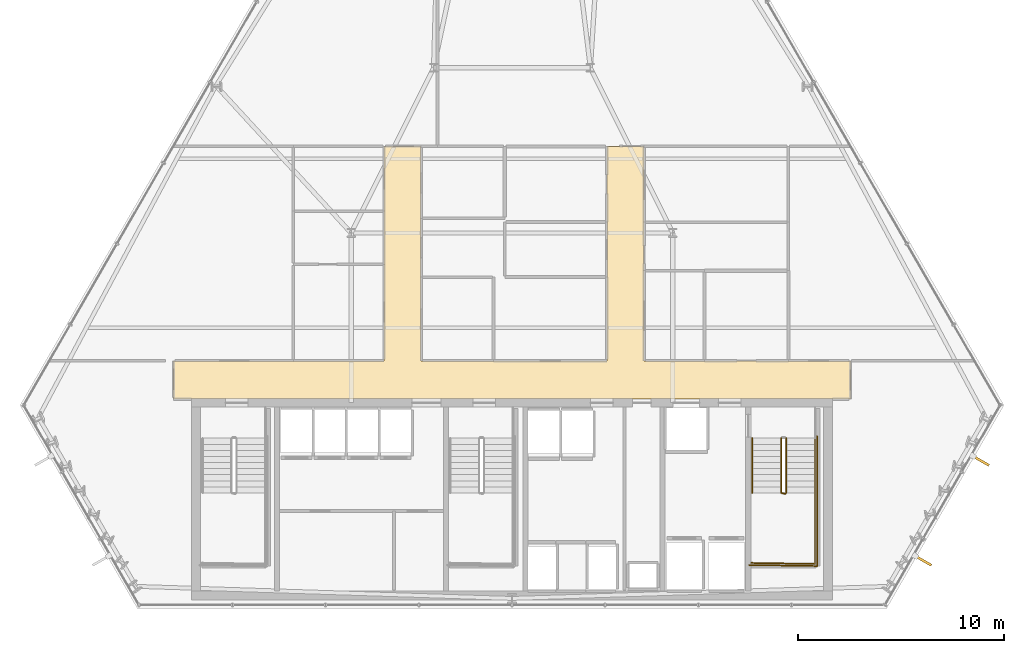
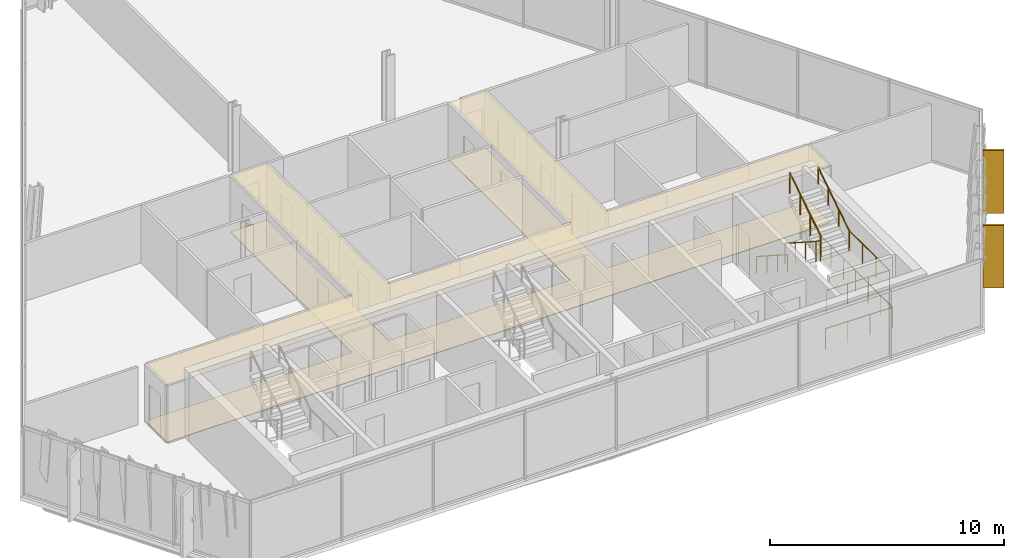
# One storey, part 30 of 32: 6 railings, 2 coverings, 2 shading devices.
"""IFC4 building model written with IfcOpenShell, lengths in metres."""

from ifc_helpers import new_model, si_unit, direction, frame, origin, origin_2d, place, context, subcontext, project, spatial, polyline, rectangle, circle, outline, extrude, material, layer, layer_set, type_object, element, save


model = new_model("IFC4")

# Units and contexts
model_context = context("Model", 3, precision=1e-05, world=origin(), true_north=direction((0.0, 1.0)))
body_context = subcontext(model_context, "Body", "Model", "MODEL_VIEW")
ifc_project = project(units=[si_unit("LENGTHUNIT", "METRE"), si_unit("AREAUNIT", "SQUARE_METRE"), si_unit("VOLUMEUNIT", "CUBIC_METRE"), si_unit("PLANEANGLEUNIT", "RADIAN"), si_unit("MASSUNIT", "GRAM", prefix="KILO")], contexts=[model_context])

# Site, building, storey
site_placement = place(None, origin())
site = spatial("IfcSite", under=ifc_project, at=site_placement, CompositionType="ELEMENT")
building_placement = place(site_placement, origin())
building = spatial("IfcBuilding", under=site, at=building_placement, Name="Ndaravel Arena Tower", CompositionType="ELEMENT")
storey_placement = place(building_placement, frame((0.0, 0.0, 157.39990234375)))
storey = spatial("IfcBuildingStorey", under=building, at=storey_placement, Name="L37", CompositionType="ELEMENT", Elevation=157.39990234375)

# Coverings
ifc_material_1 = material(Name="Acoustic Ceiling Tile", Category="finish")
ifc_layer_1 = layer(ifc_material_1, 0.02490234375)
ifc_layer_set_1 = layer_set([ifc_layer_1], Name="Acoustic Ceiling Tile")
covering_type_1 = type_object("IfcCoveringType", Name="COV-CEIL-AC600", PredefinedType="CEILING", material=ifc_layer_set_1)
covering_1_placement = place(storey_placement, frame((0.0, 0.0, 2.980712890625)))
element("IfcCovering", 1, at=covering_1_placement, inside=storey, type_object=covering_type_1, Name="L37 Corridor Acoustic Ceiling", PredefinedType="CEILING", context=body_context, shape_type="SweptSolid", body=[
    extrude(outline(polyline([(58.39990234375, 17.0), (48.39990234375, 17.0), (48.39990234375, 27.39990234375), (46.60009765625, 27.39990234375), (46.60009765625, 17.0), (37.60009765625, 17.0), (37.60009765625, 27.39990234375), (35.800048828125, 27.39990234375), (35.800048828125, 17.0), (25.60009765625, 17.0), (25.60009765625, 15.14990234375), (58.39990234375, 15.14990234375), (58.39990234375, 17.0)])), origin(), (0.0, 0.0, 1.0), 0.02490234375),
])
ifc_material_2 = material(Name="Terrazzo", Category="stone")
ifc_layer_2 = layer(ifc_material_2, 0.030029296875)
ifc_layer_set_2 = layer_set([ifc_layer_2], Name="Terrazzo")
covering_type_2 = type_object("IfcCoveringType", Name="COV-FLOOR-TERRAZZO", PredefinedType="FLOORING", material=ifc_layer_set_2)
covering_2_placement = place(storey_placement, origin())
element("IfcCovering", 2, at=covering_2_placement, inside=storey, type_object=covering_type_2, Name="L37 Corridor Terrazzo Flooring", PredefinedType="FLOORING", context=body_context, shape_type="SweptSolid", body=[
    extrude(outline(polyline([(58.39990234375, 17.0), (48.39990234375, 17.0), (48.39990234375, 27.39990234375), (46.60009765625, 27.39990234375), (46.60009765625, 17.0), (37.60009765625, 17.0), (37.60009765625, 27.39990234375), (35.800048828125, 27.39990234375), (35.800048828125, 17.0), (25.60009765625, 17.0), (25.60009765625, 15.14990234375), (58.39990234375, 15.14990234375), (58.39990234375, 17.0)])), origin(), (0.0, 0.0, 1.0), 0.030029296875),
])

# Railings
ifc_material_3 = material(Name="Steel S355", Category="steel")
ifc_layer_3 = layer(ifc_material_3, 0.06005859375)
ifc_layer_set_3 = layer_set([ifc_layer_3], Name="Steel S355")
railing_type_1 = type_object("IfcRailingType", Name="RAIL-STAIR-GD1100", PredefinedType="GUARDRAIL", material=ifc_layer_set_3)
railing_1_placement = place(storey_placement, frame((55.050048828125, 13.25, 0.190185546875)))
element("IfcRailing", 3, at=railing_1_placement, inside=storey, type_object=railing_type_1, Name="L37 ST-3 stair guard 1", PredefinedType="GUARDRAIL", context=body_context, shape_type="SweptSolid", body=[
    extrude(circle(Radius=0.02392578125, at=origin_2d()), frame((0.0, 0.0, 1.076171875), z_axis=(0.0, -0.840723540582, 0.54146461409), x_axis=(1.0, 0.0, 0.0)), (0.0, 0.0, 1.0), 3.157958984375),
    extrude(circle(Radius=0.02392578125, at=origin_2d()), frame((0.0, -2.655029296875, 2.7861328125), z_axis=(0.966993988697, -0.254799187253, 0.0), x_axis=(0.254799187253, 0.966993988697, 0.0)), (0.0, 0.0, 1.0), 0.196533203125),
    extrude(circle(Radius=0.02099609375, at=origin_2d()), origin(), (0.0, 0.0, 1.0), 1.052001953125),
    extrude(circle(Radius=0.02099609375, at=origin_2d()), frame((0.0, -0.885009765625, 0.570068359375)), (0.0, 0.0, 1.0), 1.052001953125),
    extrude(circle(Radius=0.02099609375, at=origin_2d()), frame((0.0, -1.77001953125, 1.139892578125)), (0.0, 0.0, 1.0), 1.052001953125),
    extrude(circle(Radius=0.02099609375, at=origin_2d()), frame((0.0, -2.655029296875, 1.7099609375)), (0.0, 0.0, 1.0), 1.052001953125),
    extrude(circle(Radius=0.02099609375, at=origin_2d()), frame((0.18994140625, -2.705078125, 1.7099609375)), (0.0, 0.0, 1.0), 1.052001953125),
])
railing_2_placement = place(storey_placement, frame((56.68994140625, 10.594970703125, 1.900146484375)))
element("IfcRailing", 4, at=railing_2_placement, inside=storey, type_object=railing_type_1, Name="L37 ST-3 stair guard 2", PredefinedType="GUARDRAIL", context=body_context, shape_type="SweptSolid", body=[
    extrude(circle(Radius=0.02392578125, at=origin_2d()), frame((0.0, 0.0, 1.076171875), z_axis=(0.0, -1.0, 0.0), x_axis=(1.0, 0.0, 0.0)), (0.0, 0.0, 1.0), 3.445068359375),
    extrude(circle(Radius=0.02392578125, at=origin_2d()), frame((0.0, -3.445068359375, 1.076171875), z_axis=(-0.999868840623, 0.016195726322, 0.0), x_axis=(-0.016195726322, -0.999868840623, 0.0)), (0.0, 0.0, 1.0), 3.09033203125),
    extrude(circle(Radius=0.02099609375, at=origin_2d()), origin(), (0.0, 0.0, 1.0), 1.052001953125),
    extrude(circle(Radius=0.02099609375, at=origin_2d()), frame((0.0, -1.1484375, 0.0)), (0.0, 0.0, 1.0), 1.052001953125),
    extrude(circle(Radius=0.02099609375, at=origin_2d()), frame((0.0, -2.296630859375, 0.0)), (0.0, 0.0, 1.0), 1.052001953125),
    extrude(circle(Radius=0.02099609375, at=origin_2d()), frame((0.0, -3.445068359375, 0.0)), (0.0, 0.0, 1.0), 1.052001953125),
    extrude(circle(Radius=0.02099609375, at=origin_2d()), frame((-1.030029296875, -3.428466796875, 0.0)), (0.0, 0.0, 1.0), 1.052001953125),
    extrude(circle(Radius=0.02099609375, at=origin_2d()), frame((-2.059814453125, -3.41162109375, 0.0)), (0.0, 0.0, 1.0), 1.052001953125),
    extrude(circle(Radius=0.02099609375, at=origin_2d()), frame((-3.08984375, -3.39501953125, 0.0)), (0.0, 0.0, 1.0), 1.052001953125),
])
railing_3_placement = place(storey_placement, frame((55.2900390625, 10.594970703125, 2.090087890625)))
element("IfcRailing", 5, at=railing_3_placement, inside=storey, type_object=railing_type_1, Name="L37 ST-3 stair guard 3", PredefinedType="GUARDRAIL", context=body_context, shape_type="SweptSolid", body=[
    extrude(circle(Radius=0.02392578125, at=origin_2d()), frame((0.0, 0.0, 1.076171875), z_axis=(0.0, 0.840723540582, 0.54146461409), x_axis=(-1.0, 0.0, 0.0)), (0.0, 0.0, 1.0), 3.157958984375),
    extrude(circle(Radius=0.02099609375, at=origin_2d()), origin(), (0.0, 0.0, 1.0), 1.052001953125),
    extrude(circle(Radius=0.02099609375, at=origin_2d()), frame((0.0, 0.885009765625, 0.570068359375)), (0.0, 0.0, 1.0), 1.052001953125),
    extrude(circle(Radius=0.02099609375, at=origin_2d()), frame((0.0, 1.77001953125, 1.139892578125)), (0.0, 0.0, 1.0), 1.052001953125),
    extrude(circle(Radius=0.02099609375, at=origin_2d()), frame((0.0, 2.655029296875, 1.7099609375)), (0.0, 0.0, 1.0), 1.052001953125),
])
railing_4_placement = place(storey_placement, frame((56.7900390625, 13.35009765625, 0.0)))
element("IfcRailing", 6, at=railing_4_placement, inside=storey, type_object=railing_type_1, Name="L37 ST-3 stair guard 6", PredefinedType="GUARDRAIL", context=body_context, shape_type="SweptSolid", body=[
    extrude(circle(Radius=0.02392578125, at=origin_2d()), frame((0.0, 0.0, 1.076171875), z_axis=(0.0, -1.0, 0.0), x_axis=(1.0, 0.0, 0.0)), (0.0, 0.0, 1.0), 6.300048828125),
    extrude(circle(Radius=0.02392578125, at=origin_2d()), frame((0.0, -6.300048828125, 1.076171875), z_axis=(-0.99988431412, 0.015210469308, 0.0), x_axis=(-0.015210469308, -0.99988431412, 0.0)), (0.0, 0.0, 1.0), 3.29052734375),
    extrude(circle(Radius=0.02099609375, at=origin_2d()), origin(), (0.0, 0.0, 1.0), 1.052001953125),
    extrude(circle(Radius=0.02099609375, at=origin_2d()), frame((0.0, -1.050048828125, 0.0)), (0.0, 0.0, 1.0), 1.052001953125),
    extrude(circle(Radius=0.02099609375, at=origin_2d()), frame((0.0, -2.10009765625, 0.0)), (0.0, 0.0, 1.0), 1.052001953125),
    extrude(circle(Radius=0.02099609375, at=origin_2d()), frame((0.0, -3.14990234375, 0.0)), (0.0, 0.0, 1.0), 1.052001953125),
    extrude(circle(Radius=0.02099609375, at=origin_2d()), frame((0.0, -4.199951171875, 0.0)), (0.0, 0.0, 1.0), 1.052001953125),
    extrude(circle(Radius=0.02099609375, at=origin_2d()), frame((0.0, -5.25, 0.0)), (0.0, 0.0, 1.0), 1.052001953125),
    extrude(circle(Radius=0.02099609375, at=origin_2d()), frame((0.0, -6.300048828125, 0.0)), (0.0, 0.0, 1.0), 1.052001953125),
    extrude(circle(Radius=0.02099609375, at=origin_2d()), frame((-1.0966796875, -6.283447265625, 0.0)), (0.0, 0.0, 1.0), 1.052001953125),
    extrude(circle(Radius=0.02099609375, at=origin_2d()), frame((-2.193359375, -6.2666015625, 0.0)), (0.0, 0.0, 1.0), 1.052001953125),
    extrude(circle(Radius=0.02099609375, at=origin_2d()), frame((-3.2900390625, -6.25, 0.0)), (0.0, 0.0, 1.0), 1.052001953125),
])
ifc_material_4 = material(Name="Steel S355", Category="steel")
ifc_layer_4 = layer(ifc_material_4, 0.050048828125)
ifc_layer_set_4 = layer_set([ifc_layer_4], Name="Steel S355")
railing_type_2 = type_object("IfcRailingType", Name="RAIL-STAIR-HR920", PredefinedType="HANDRAIL", material=ifc_layer_set_4)
railing_5_placement = place(storey_placement, frame((53.64990234375, 13.25, 0.190185546875)))
element("IfcRailing", 7, at=railing_5_placement, inside=storey, type_object=railing_type_2, Name="L37 ST-3 stair handrail 1", PredefinedType="HANDRAIL", context=body_context, shape_type="SweptSolid", body=[
    extrude(circle(Radius=0.02392578125, at=origin_2d()), frame((0.0, 0.0, 0.8759765625), z_axis=(0.0, -0.840723540582, 0.54146461409), x_axis=(1.0, 0.0, 0.0)), (0.0, 0.0, 1.0), 3.157958984375),
    extrude(circle(Radius=0.02099609375, at=origin_2d()), origin(), (0.0, 0.0, 1.0), 0.851806640625),
    extrude(circle(Radius=0.02099609375, at=origin_2d()), frame((0.0, -0.885009765625, 0.570068359375)), (0.0, 0.0, 1.0), 0.851806640625),
    extrude(circle(Radius=0.02099609375, at=origin_2d()), frame((0.0, -1.77001953125, 1.139892578125)), (0.0, 0.0, 1.0), 0.851806640625),
    extrude(circle(Radius=0.02099609375, at=origin_2d()), frame((0.0, -2.655029296875, 1.7099609375)), (0.0, 0.0, 1.0), 0.851806640625),
])
railing_6_placement = place(storey_placement, frame((56.68994140625, 10.594970703125, 2.090087890625)))
element("IfcRailing", 8, at=railing_6_placement, inside=storey, type_object=railing_type_2, Name="L37 ST-3 stair handrail 2", PredefinedType="HANDRAIL", context=body_context, shape_type="SweptSolid", body=[
    extrude(circle(Radius=0.02392578125, at=origin_2d()), frame((0.0, 0.0, 0.8759765625), z_axis=(0.0, 0.840723540582, 0.54146461409), x_axis=(-1.0, 0.0, 0.0)), (0.0, 0.0, 1.0), 3.157958984375),
    extrude(circle(Radius=0.02099609375, at=origin_2d()), origin(), (0.0, 0.0, 1.0), 0.851806640625),
    extrude(circle(Radius=0.02099609375, at=origin_2d()), frame((0.0, 0.885009765625, 0.570068359375)), (0.0, 0.0, 1.0), 0.851806640625),
    extrude(circle(Radius=0.02099609375, at=origin_2d()), frame((0.0, 1.77001953125, 1.139892578125)), (0.0, 0.0, 1.0), 0.851806640625),
    extrude(circle(Radius=0.02099609375, at=origin_2d()), frame((0.0, 2.655029296875, 1.7099609375)), (0.0, 0.0, 1.0), 0.851806640625),
])

# Shading devices
ifc_material_5 = material(Name="Masonry", Category="masonry")
shading_device_type = type_object("IfcShadingDeviceType", Name="SHD-MAZERAS-FIN", PredefinedType="SHUTTER", material=ifc_material_5)
for number, where, z_axis, x_axis, name in (
    (9, (61.936279296875, 7.314208984375, 0.14990234375), (0.0, 0.0, 1.0), (0.866025403784, -0.5, 0.0), "L37 Mazeras Stone Solar Fin E2.1"),
    (10, (64.732177734375, 12.156982421875, 0.14990234375), (0.0, 0.0, 1.0), (0.866025403784, -0.5, 0.0), "L37 Mazeras Stone Solar Fin E2.2"),
):
    element("IfcShadingDevice", number, at=place(storey_placement, frame(where, z_axis=z_axis, x_axis=x_axis)), inside=storey, type_object=shading_device_type, Name=name, PredefinedType="SHUTTER", context=body_context, shape_type="SweptSolid", body=[
        extrude(rectangle(XDim=0.89990234375, YDim=0.1201171875, at=origin_2d()), origin(), (0.0, 0.0, 1.0), 3.280029296875),
    ])

save(model, "model.ifc")
